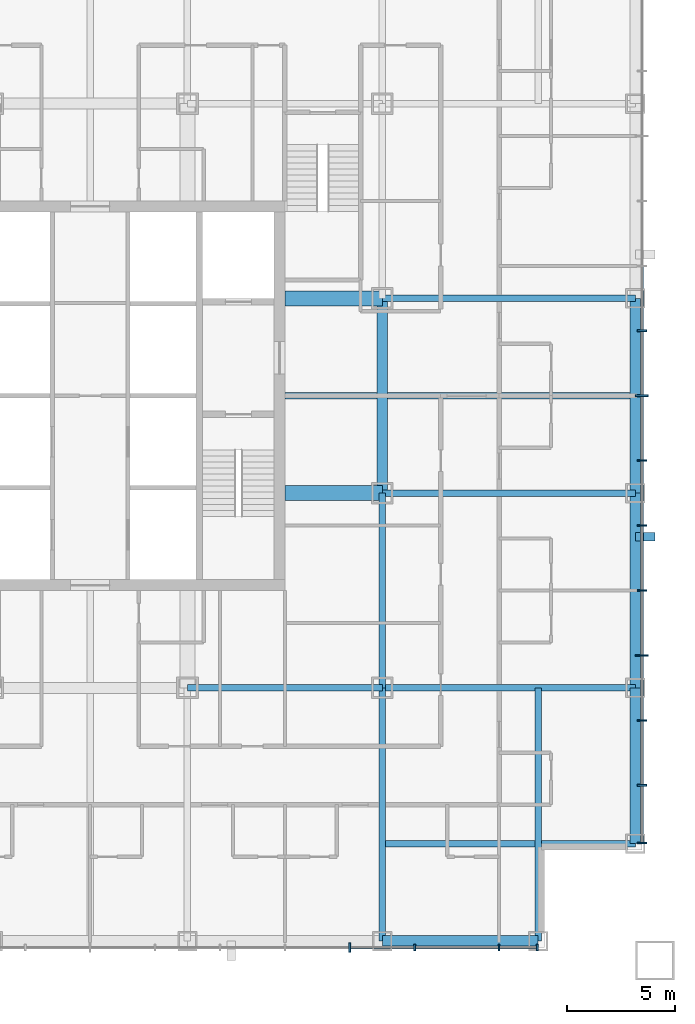
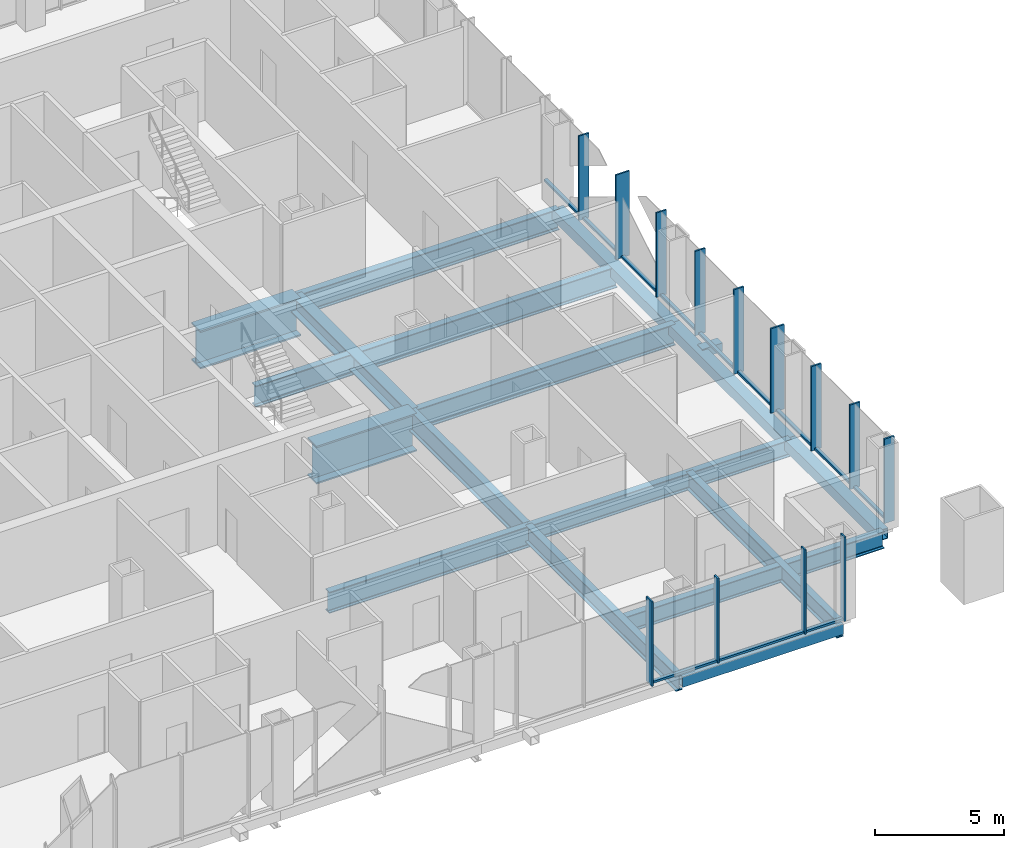
# One storey, part 3 of 13: 26 members, 16 beams, 2 elements without a shape of their own.
"""IFC4 building model written with IfcOpenShell, lengths in metres."""

from ifc_helpers import new_model, si_unit, direction, frame, origin, origin_2d, place, context, subcontext, project, spatial, rectangle, hollow_rectangle, i_section, extrude, material, layer, layer_set, material_profile, profile_set, type_object, element, aggregate, save


model = new_model("IFC4")

# Units and contexts
model_context = context("Model", 3, precision=1e-05, world=origin(), true_north=direction((0.0, 1.0)))
body_context = subcontext(model_context, "Body", "Model", "MODEL_VIEW")
ifc_project = project(units=[si_unit("LENGTHUNIT", "METRE"), si_unit("AREAUNIT", "SQUARE_METRE"), si_unit("VOLUMEUNIT", "CUBIC_METRE"), si_unit("PLANEANGLEUNIT", "RADIAN"), si_unit("MASSUNIT", "GRAM", prefix="KILO")], contexts=[model_context])

# Site, building, storey
site_placement = place(None, origin())
site = spatial("IfcSite", under=ifc_project, at=site_placement, CompositionType="ELEMENT")
building_placement = place(site_placement, origin())
building = spatial("IfcBuilding", under=site, at=building_placement, Name="Malebo Sky Hospital", CompositionType="ELEMENT")
storey_placement = place(building_placement, frame((0.0, 0.0, 75.0)))
storey = spatial("IfcBuildingStorey", under=building, at=storey_placement, Name="L17", CompositionType="ELEMENT", Elevation=75.0)

# Curtain wall, members
ifc_material_1 = material(Name="Anodised aluminium, natural silver", Category="aluminium")
ifc_layer_1 = layer(ifc_material_1, 0.25)
ifc_layer_set_1 = layer_set([ifc_layer_1], Name="WARD CURTAIN WALL NORTH AND SOUTH")
curtain_wall_type_1 = type_object("IfcCurtainWallType", Name="WARD CURTAIN WALL NORTH AND SOUTH", PredefinedType="NOTDEFINED", material=ifc_layer_set_1)
curtain_wall_1_placement = place(storey_placement, origin())
curtain_wall_1 = element("IfcCurtainWall", 1, at=curtain_wall_1_placement, inside=storey, type_object=curtain_wall_type_1, Name="NS curtain wall S", PredefinedType="NOTDEFINED")
ifc_material_profile_1 = material_profile(ifc_material_1, rectangle(XDim=0.14990234375, YDim=0.10009765625, at=origin_2d()), Name="ALUMINIUM TRANSOM 150x100")
ifc_profile_set_1 = profile_set([ifc_material_profile_1], Name="Anodised aluminium, natural silver")
member_type_1 = type_object("IfcMemberType", Name="ALUMINIUM TRANSOM 150x100", PredefinedType="USERDEFINED", material=ifc_profile_set_1)
member_1_placement = place(storey_placement, frame((80.625, 36.5, 0.050048828125), z_axis=(-1.0, 0.0, 0.0), x_axis=(0.0, -1.0, 0.0)))
member_1 = element("IfcMember", 2, at=member_1_placement, type_object=member_type_1, Name="Transom 1", ObjectType="TRANSOM", PredefinedType="USERDEFINED", context=body_context, shape_type="SweptSolid", body=[
    extrude(rectangle(XDim=0.14990234375, YDim=0.10009765625, at=origin_2d()), origin(), (0.0, 0.0, 1.0), 1.6875),
])
member_2_placement = place(storey_placement, frame((78.862548828125, 36.5, 0.050048828125), z_axis=(-1.0, 0.0, 0.0), x_axis=(0.0, -1.0, 0.0)))
member_2 = element("IfcMember", 3, at=member_2_placement, type_object=member_type_1, Name="Transom 2", ObjectType="TRANSOM", PredefinedType="USERDEFINED", context=body_context, shape_type="SweptSolid", body=[
    extrude(rectangle(XDim=0.14990234375, YDim=0.10009765625, at=origin_2d()), origin(), (0.0, 0.0, 1.0), 3.824951171875),
])
member_3_placement = place(storey_placement, frame((74.96240234375, 36.5, 0.050048828125), z_axis=(-1.0, 0.0, 0.0), x_axis=(0.0, -1.0, 0.0)))
member_3 = element("IfcMember", 4, at=member_3_placement, type_object=member_type_1, Name="Transom 3", ObjectType="TRANSOM", PredefinedType="USERDEFINED", context=body_context, shape_type="SweptSolid", body=[
    extrude(rectangle(XDim=0.14990234375, YDim=0.10009765625, at=origin_2d()), origin(), (0.0, 0.0, 1.0), 2.9248046875),
])

ifc_layer_2 = layer(ifc_material_1, 0.25)
ifc_layer_set_2 = layer_set([ifc_layer_2], Name="WARD CURTAIN WALL EAST AND WEST")
curtain_wall_type_2 = type_object("IfcCurtainWallType", Name="WARD CURTAIN WALL EAST AND WEST", PredefinedType="NOTDEFINED", material=ifc_layer_set_2)
curtain_wall_2_placement = place(storey_placement, origin())
curtain_wall_2 = element("IfcCurtainWall", 5, at=curtain_wall_2_placement, inside=storey, type_object=curtain_wall_type_2, Name="EW curtain wall E", PredefinedType="NOTDEFINED")
member_4_placement = place(storey_placement, frame((85.5, 67.96240234375, 0.050048828125), z_axis=(0.0, -1.0, 0.0), x_axis=(1.0, 0.0, 0.0)))
member_4 = element("IfcMember", 6, at=member_4_placement, type_object=member_type_1, Name="Transom 6", ObjectType="TRANSOM", PredefinedType="USERDEFINED", context=body_context, shape_type="SweptSolid", body=[
    extrude(rectangle(XDim=0.14990234375, YDim=0.10009765625, at=origin_2d()), origin(), (0.0, 0.0, 1.0), 2.9248046875),
])
member_5_placement = place(storey_placement, frame((85.5, 64.96240234375, 0.050048828125), z_axis=(0.0, -1.0, 0.0), x_axis=(1.0, 0.0, 0.0)))
member_5 = element("IfcMember", 7, at=member_5_placement, type_object=member_type_1, Name="Transom 7", ObjectType="TRANSOM", PredefinedType="USERDEFINED", context=body_context, shape_type="SweptSolid", body=[
    extrude(rectangle(XDim=0.14990234375, YDim=0.10009765625, at=origin_2d()), origin(), (0.0, 0.0, 1.0), 2.9248046875),
])
member_6_placement = place(storey_placement, frame((85.5, 61.96240234375, 0.050048828125), z_axis=(0.0, -1.0, 0.0), x_axis=(1.0, 0.0, 0.0)))
member_6 = element("IfcMember", 8, at=member_6_placement, type_object=member_type_1, Name="Transom 8", ObjectType="TRANSOM", PredefinedType="USERDEFINED", context=body_context, shape_type="SweptSolid", body=[
    extrude(rectangle(XDim=0.14990234375, YDim=0.10009765625, at=origin_2d()), origin(), (0.0, 0.0, 1.0), 2.9248046875),
])
member_7_placement = place(storey_placement, frame((85.5, 58.96240234375, 0.050048828125), z_axis=(0.0, -1.0, 0.0), x_axis=(1.0, 0.0, 0.0)))
member_7 = element("IfcMember", 9, at=member_7_placement, type_object=member_type_1, Name="Transom 9", ObjectType="TRANSOM", PredefinedType="USERDEFINED", context=body_context, shape_type="SweptSolid", body=[
    extrude(rectangle(XDim=0.14990234375, YDim=0.10009765625, at=origin_2d()), origin(), (0.0, 0.0, 1.0), 2.9248046875),
])
member_8_placement = place(storey_placement, frame((85.5, 55.96240234375, 0.050048828125), z_axis=(0.0, -1.0, 0.0), x_axis=(1.0, 0.0, 0.0)))
member_8 = element("IfcMember", 10, at=member_8_placement, type_object=member_type_1, Name="Transom 10", ObjectType="TRANSOM", PredefinedType="USERDEFINED", context=body_context, shape_type="SweptSolid", body=[
    extrude(rectangle(XDim=0.14990234375, YDim=0.10009765625, at=origin_2d()), origin(), (0.0, 0.0, 1.0), 2.9248046875),
])
member_9_placement = place(storey_placement, frame((85.5, 52.96240234375, 0.050048828125), z_axis=(0.0, -1.0, 0.0), x_axis=(1.0, 0.0, 0.0)))
member_9 = element("IfcMember", 11, at=member_9_placement, type_object=member_type_1, Name="Transom 11", ObjectType="TRANSOM", PredefinedType="USERDEFINED", context=body_context, shape_type="SweptSolid", body=[
    extrude(rectangle(XDim=0.14990234375, YDim=0.10009765625, at=origin_2d()), origin(), (0.0, 0.0, 1.0), 2.9248046875),
])
member_10_placement = place(storey_placement, frame((85.5, 49.96240234375, 0.050048828125), z_axis=(0.0, -1.0, 0.0), x_axis=(1.0, 0.0, 0.0)))
member_10 = element("IfcMember", 12, at=member_10_placement, type_object=member_type_1, Name="Transom 12", ObjectType="TRANSOM", PredefinedType="USERDEFINED", context=body_context, shape_type="SweptSolid", body=[
    extrude(rectangle(XDim=0.14990234375, YDim=0.10009765625, at=origin_2d()), origin(), (0.0, 0.0, 1.0), 2.9248046875),
])
member_11_placement = place(storey_placement, frame((85.5, 46.96240234375, 0.050048828125), z_axis=(0.0, -1.0, 0.0), x_axis=(1.0, 0.0, 0.0)))
member_11 = element("IfcMember", 13, at=member_11_placement, type_object=member_type_1, Name="Transom 13", ObjectType="TRANSOM", PredefinedType="USERDEFINED", context=body_context, shape_type="SweptSolid", body=[
    extrude(rectangle(XDim=0.14990234375, YDim=0.10009765625, at=origin_2d()), origin(), (0.0, 0.0, 1.0), 2.9248046875),
])
member_12_placement = place(storey_placement, frame((85.5, 43.96240234375, 0.050048828125), z_axis=(0.0, -1.0, 0.0), x_axis=(1.0, 0.0, 0.0)))
member_12 = element("IfcMember", 14, at=member_12_placement, type_object=member_type_1, Name="Transom 14", ObjectType="TRANSOM", PredefinedType="USERDEFINED", context=body_context, shape_type="SweptSolid", body=[
    extrude(rectangle(XDim=0.14990234375, YDim=0.10009765625, at=origin_2d()), origin(), (0.0, 0.0, 1.0), 2.58740234375),
])

# Member
ifc_material_2 = material(Name="Steel S355", Category="steel")
ifc_material_profile_2 = material_profile(ifc_material_2, hollow_rectangle(XDim=0.39990234375, YDim=0.39990234375, WallThickness=0.02001953125, at=origin_2d()), Name="SHS 400x20")
ifc_profile_set_2 = profile_set([ifc_material_profile_2], Name="Steel S355")
member_type_2 = type_object("IfcMemberType", Name="BRACE STRUT SHS 400x20", PredefinedType="STRUT", material=ifc_profile_set_2)
member_13_placement = place(storey_placement, frame((86.10009765625, 55.47509765625, -0.39990234375), z_axis=(-1.0, 0.0, 0.0), x_axis=(0.0, -1.0, 0.0)))
element("IfcMember", 15, at=member_13_placement, inside=storey, type_object=member_type_2, Name="Brace strut AE1 L17", PredefinedType="STRUT", context=body_context, shape_type="SweptSolid", body=[
    extrude(hollow_rectangle(XDim=0.39990234375, YDim=0.39990234375, WallThickness=0.02001953125, at=origin_2d()), origin(), (0.0, 0.0, 1.0), 0.900146484375),
])

ifc_material_profile_3 = material_profile(ifc_material_1, rectangle(XDim=0.074951171875, YDim=0.300048828125, at=origin_2d()), Name="CW1 ALUMINIUM FIN MULLION 75x300")
ifc_profile_set_3 = profile_set([ifc_material_profile_3], Name="Anodised aluminium, natural silver")
member_type_3 = type_object("IfcMemberType", Name="CW1 ALUMINIUM FIN MULLION 75x300", PredefinedType="MULLION", material=ifc_profile_set_3)
member_14_placement = place(storey_placement, frame((80.66259765625, 36.5, 0.0), z_axis=(0.0, 0.0, 1.0), x_axis=(-1.0, 0.0, 0.0)))
member_14 = element("IfcMember", 16, at=member_14_placement, type_object=member_type_3, Name="Fin mullion 1", PredefinedType="MULLION", context=body_context, shape_type="SweptSolid", body=[
    extrude(rectangle(XDim=0.074951171875, YDim=0.300048828125, at=origin_2d()), origin(), (0.0, 0.0, 1.0), 4.0),
])

member_15_placement = place(storey_placement, frame((78.89990234375, 36.5, 0.0), z_axis=(0.0, 0.0, 1.0), x_axis=(-1.0, 0.0, 0.0)))
member_15 = element("IfcMember", 17, at=member_15_placement, type_object=member_type_3, Name="Fin mullion 2", PredefinedType="MULLION", context=body_context, shape_type="SweptSolid", body=[
    extrude(rectangle(XDim=0.074951171875, YDim=0.300048828125, at=origin_2d()), origin(), (0.0, 0.0, 1.0), 4.0),
])

member_16_placement = place(storey_placement, frame((75.0, 36.5, 0.0), z_axis=(0.0, 0.0, 1.0), x_axis=(-1.0, 0.0, 0.0)))
member_16 = element("IfcMember", 18, at=member_16_placement, type_object=member_type_3, Name="Fin mullion 3", PredefinedType="MULLION", context=body_context, shape_type="SweptSolid", body=[
    extrude(rectangle(XDim=0.074951171875, YDim=0.300048828125, at=origin_2d()), origin(), (0.0, 0.0, 1.0), 4.0),
])

ifc_material_profile_4 = material_profile(ifc_material_1, rectangle(XDim=0.074951171875, YDim=0.449951171875, at=origin_2d()), Name="CW1 ALUMINIUM FIN MULLION 75x450")
ifc_profile_set_4 = profile_set([ifc_material_profile_4], Name="Anodised aluminium, natural silver")
member_type_4 = type_object("IfcMemberType", Name="CW1 ALUMINIUM FIN MULLION 75x450", PredefinedType="MULLION", material=ifc_profile_set_4)
member_17_placement = place(storey_placement, frame((72.0, 36.5, 0.0), z_axis=(0.0, 0.0, 1.0), x_axis=(-1.0, 0.0, 0.0)))
member_17 = element("IfcMember", 19, at=member_17_placement, type_object=member_type_4, Name="Fin mullion 4", PredefinedType="MULLION", context=body_context, shape_type="SweptSolid", body=[
    extrude(rectangle(XDim=0.074951171875, YDim=0.449951171875, at=origin_2d()), origin(), (0.0, 0.0, 1.0), 4.0),
])

aggregate(curtain_wall_1, [member_14, member_15, member_16, member_17, member_1, member_2, member_3])

ifc_material_profile_5 = material_profile(ifc_material_1, rectangle(XDim=0.074951171875, YDim=0.449951171875, at=origin_2d()), Name="CW2 ALUMINIUM FIN MULLION 75x450")
ifc_profile_set_5 = profile_set([ifc_material_profile_5], Name="Anodised aluminium, natural silver")
member_type_5 = type_object("IfcMemberType", Name="CW2 ALUMINIUM FIN MULLION 75x450", PredefinedType="MULLION", material=ifc_profile_set_5)
member_18_placement = place(storey_placement, frame((85.5, 65.0, 0.0), z_axis=(0.0, 0.0, 1.0), x_axis=(0.0, -1.0, 0.0)))
member_18 = element("IfcMember", 20, at=member_18_placement, type_object=member_type_5, Name="Fin mullion 7", PredefinedType="MULLION", context=body_context, shape_type="SweptSolid", body=[
    extrude(rectangle(XDim=0.074951171875, YDim=0.449951171875, at=origin_2d()), origin(), (0.0, 0.0, 1.0), 4.0),
])

member_19_placement = place(storey_placement, frame((85.5, 59.0, 0.0), z_axis=(0.0, 0.0, 1.0), x_axis=(0.0, -1.0, 0.0)))
member_19 = element("IfcMember", 21, at=member_19_placement, type_object=member_type_5, Name="Fin mullion 9", PredefinedType="MULLION", context=body_context, shape_type="SweptSolid", body=[
    extrude(rectangle(XDim=0.074951171875, YDim=0.449951171875, at=origin_2d()), origin(), (0.0, 0.0, 1.0), 4.0),
])

member_20_placement = place(storey_placement, frame((85.5, 56.0, 0.0), z_axis=(0.0, 0.0, 1.0), x_axis=(0.0, -1.0, 0.0)))
member_20 = element("IfcMember", 22, at=member_20_placement, type_object=member_type_5, Name="Fin mullion 10", PredefinedType="MULLION", context=body_context, shape_type="SweptSolid", body=[
    extrude(rectangle(XDim=0.074951171875, YDim=0.449951171875, at=origin_2d()), origin(), (0.0, 0.0, 1.0), 4.0),
])

member_21_placement = place(storey_placement, frame((85.5, 53.0, 0.0), z_axis=(0.0, 0.0, 1.0), x_axis=(0.0, -1.0, 0.0)))
member_21 = element("IfcMember", 23, at=member_21_placement, type_object=member_type_5, Name="Fin mullion 11", PredefinedType="MULLION", context=body_context, shape_type="SweptSolid", body=[
    extrude(rectangle(XDim=0.074951171875, YDim=0.449951171875, at=origin_2d()), origin(), (0.0, 0.0, 1.0), 4.0),
])

member_22_placement = place(storey_placement, frame((85.5, 47.0, 0.0), z_axis=(0.0, 0.0, 1.0), x_axis=(0.0, -1.0, 0.0)))
member_22 = element("IfcMember", 24, at=member_22_placement, type_object=member_type_5, Name="Fin mullion 13", PredefinedType="MULLION", context=body_context, shape_type="SweptSolid", body=[
    extrude(rectangle(XDim=0.074951171875, YDim=0.449951171875, at=origin_2d()), origin(), (0.0, 0.0, 1.0), 4.0),
])

member_23_placement = place(storey_placement, frame((85.5, 44.0, 0.0), z_axis=(0.0, 0.0, 1.0), x_axis=(0.0, -1.0, 0.0)))
member_23 = element("IfcMember", 25, at=member_23_placement, type_object=member_type_5, Name="Fin mullion 14", PredefinedType="MULLION", context=body_context, shape_type="SweptSolid", body=[
    extrude(rectangle(XDim=0.074951171875, YDim=0.449951171875, at=origin_2d()), origin(), (0.0, 0.0, 1.0), 4.0),
])

member_24_placement = place(storey_placement, frame((85.5, 41.33740234375, 0.0), z_axis=(0.0, 0.0, 1.0), x_axis=(0.0, -1.0, 0.0)))
member_24 = element("IfcMember", 26, at=member_24_placement, type_object=member_type_5, Name="Fin mullion 15", PredefinedType="MULLION", context=body_context, shape_type="SweptSolid", body=[
    extrude(rectangle(XDim=0.074951171875, YDim=0.449951171875, at=origin_2d()), origin(), (0.0, 0.0, 1.0), 4.0),
])

ifc_material_profile_6 = material_profile(ifc_material_1, rectangle(XDim=0.074951171875, YDim=0.60009765625, at=origin_2d()), Name="CW2 ALUMINIUM FIN MULLION 75x600")
ifc_profile_set_6 = profile_set([ifc_material_profile_6], Name="Anodised aluminium, natural silver")
member_type_6 = type_object("IfcMemberType", Name="CW2 ALUMINIUM FIN MULLION 75x600", PredefinedType="MULLION", material=ifc_profile_set_6)
member_25_placement = place(storey_placement, frame((85.5, 62.0, 0.0), z_axis=(0.0, 0.0, 1.0), x_axis=(0.0, -1.0, 0.0)))
member_25 = element("IfcMember", 27, at=member_25_placement, type_object=member_type_6, Name="Fin mullion 8", PredefinedType="MULLION", context=body_context, shape_type="SweptSolid", body=[
    extrude(rectangle(XDim=0.074951171875, YDim=0.60009765625, at=origin_2d()), origin(), (0.0, 0.0, 1.0), 4.0),
])

member_26_placement = place(storey_placement, frame((85.5, 50.0, 0.0), z_axis=(0.0, 0.0, 1.0), x_axis=(0.0, -1.0, 0.0)))
member_26 = element("IfcMember", 28, at=member_26_placement, type_object=member_type_6, Name="Fin mullion 12", PredefinedType="MULLION", context=body_context, shape_type="SweptSolid", body=[
    extrude(rectangle(XDim=0.074951171875, YDim=0.60009765625, at=origin_2d()), origin(), (0.0, 0.0, 1.0), 4.0),
])

aggregate(curtain_wall_2, [member_18, member_25, member_19, member_20, member_21, member_26, member_22, member_23, member_24, member_4, member_5, member_6, member_7, member_8, member_9, member_10, member_11, member_12])

# Beams
ifc_material_3 = material(Name="Steel S460", Category="steel")
ifc_material_profile_7 = material_profile(ifc_material_3, hollow_rectangle(XDim=0.5, YDim=0.5, WallThickness=0.030029296875, at=origin_2d()), Name="BOX 500x500x30")
ifc_profile_set_7 = profile_set([ifc_material_profile_7], Name="Steel S460")
beam_type_1 = type_object("IfcBeamType", Name="EDGE BEAM BOX 500x500x30", PredefinedType="BEAM", material=ifc_profile_set_7)
beam_1_placement = place(storey_placement, frame((85.199951171875, 41.300048828125, -0.5), z_axis=(0.0, 1.0, 0.0), x_axis=(-1.0, 0.0, 0.0)))
element("IfcBeam", 29, at=beam_1_placement, inside=storey, type_object=beam_type_1, Name="Beam 029 L17", PredefinedType="BEAM", context=body_context, shape_type="SweptSolid", body=[
    extrude(hollow_rectangle(XDim=0.5, YDim=0.5, WallThickness=0.030029296875, at=origin_2d()), origin(), (0.0, 0.0, 1.0), 7.199951171875),
])
for number, where, z_axis, x_axis, name in (
    (30, (85.199951171875, 48.5, -0.5), (0.0, 1.0, 0.0), (-1.0, 0.0, 0.0), "Beam 030 L17"),
    (31, (85.199951171875, 57.5, -0.5), (0.0, 1.0, 0.0), (-1.0, 0.0, 0.0), "Beam 031 L17"),
):
    element("IfcBeam", number, at=place(storey_placement, frame(where, z_axis=z_axis, x_axis=x_axis)), inside=storey, type_object=beam_type_1, Name=name, PredefinedType="BEAM", context=body_context, shape_type="SweptSolid", body=[
        extrude(hollow_rectangle(XDim=0.5, YDim=0.5, WallThickness=0.030029296875, at=origin_2d()), origin(), (0.0, 0.0, 1.0), 9.0),
    ])
beam_2_placement = place(storey_placement, frame((73.5, 36.800048828125, -0.5), z_axis=(1.0, 0.0, 0.0), x_axis=(0.0, 1.0, 0.0)))
element("IfcBeam", 32, at=beam_2_placement, inside=storey, type_object=beam_type_1, Name="Beam 038 L17", PredefinedType="BEAM", context=body_context, shape_type="SweptSolid", body=[
    extrude(hollow_rectangle(XDim=0.5, YDim=0.5, WallThickness=0.030029296875, at=origin_2d()), origin(), (0.0, 0.0, 1.0), 7.199951171875),
])
ifc_material_profile_8 = material_profile(ifc_material_2, i_section(OverallWidth=0.300048828125, OverallDepth=1.0, WebThickness=0.01904296875, FlangeThickness=0.035888671875, FilletRadius=0.030029296875, at=origin_2d()), Name="HEB 1000")
ifc_profile_set_8 = profile_set([ifc_material_profile_8], Name="Steel S355")
beam_type_2 = type_object("IfcBeamType", Name="FLOOR BEAM HEB 1000", PredefinedType="BEAM", material=ifc_profile_set_8)
for number, where, z_axis, x_axis, name in (
    (33, (73.5, 48.5, -0.75), (0.0, 1.0, 0.0), (-1.0, 0.0, 0.0), "Beam 023 L17"),
    (34, (64.5, 48.5, -0.75), (1.0, 0.0, 0.0), (0.0, 1.0, 0.0), "Beam 044 L17"),
):
    element("IfcBeam", number, at=place(storey_placement, frame(where, z_axis=z_axis, x_axis=x_axis)), inside=storey, type_object=beam_type_2, Name=name, PredefinedType="BEAM", context=body_context, shape_type="SweptSolid", body=[
        extrude(i_section(OverallWidth=0.300048828125, OverallDepth=1.0, WebThickness=0.01904296875, FlangeThickness=0.035888671875, FilletRadius=0.030029296875, at=origin_2d()), origin(), (0.0, 0.0, 1.0), 9.0),
    ])
beam_3_placement = place(storey_placement, frame((73.5, 57.5, -0.75), z_axis=(1.0, 0.0, 0.0), x_axis=(0.0, 1.0, 0.0)))
element("IfcBeam", 35, at=beam_3_placement, inside=storey, type_object=beam_type_2, Name="Beam 049 L17", PredefinedType="BEAM", context=body_context, shape_type="SweptSolid", body=[
    extrude(i_section(OverallWidth=0.300048828125, OverallDepth=1.0, WebThickness=0.01904296875, FlangeThickness=0.035888671875, FilletRadius=0.030029296875, at=origin_2d()), origin(), (0.0, 0.0, 1.0), 11.699951171875),
])
beam_4_placement = place(storey_placement, frame((69.0, 62.0, -0.75), z_axis=(1.0, 0.0, 0.0), x_axis=(0.0, 1.0, 0.0)))
element("IfcBeam", 36, at=beam_4_placement, inside=storey, type_object=beam_type_2, Name="Beam 051 L17", PredefinedType="BEAM", context=body_context, shape_type="SweptSolid", body=[
    extrude(i_section(OverallWidth=0.300048828125, OverallDepth=1.0, WebThickness=0.01904296875, FlangeThickness=0.035888671875, FilletRadius=0.030029296875, at=origin_2d()), origin(), (0.0, 0.0, 1.0), 16.199951171875),
])
beam_5_placement = place(storey_placement, frame((73.5, 66.5, -0.75), z_axis=(1.0, 0.0, 0.0), x_axis=(0.0, 1.0, 0.0)))
element("IfcBeam", 37, at=beam_5_placement, inside=storey, type_object=beam_type_2, Name="Beam 055 L17", PredefinedType="BEAM", context=body_context, shape_type="SweptSolid", body=[
    extrude(i_section(OverallWidth=0.300048828125, OverallDepth=1.0, WebThickness=0.01904296875, FlangeThickness=0.035888671875, FilletRadius=0.030029296875, at=origin_2d()), origin(), (0.0, 0.0, 1.0), 11.699951171875),
])
ifc_material_profile_9 = material_profile(ifc_material_2, i_section(OverallWidth=0.300048828125, OverallDepth=0.800048828125, WebThickness=0.017578125, FlangeThickness=0.032958984375, FilletRadius=0.030029296875, at=origin_2d()), Name="HEB 800")
ifc_profile_set_9 = profile_set([ifc_material_profile_9], Name="Steel S355")
beam_type_3 = type_object("IfcBeamType", Name="FLOOR BEAM HEB 800", PredefinedType="BEAM", material=ifc_profile_set_9)
for number, where, z_axis, x_axis, name in (
    (38, (80.699951171875, 36.800048828125, -0.64990234375), (0.0, 1.0, 0.0), (-1.0, 0.0, 0.0), "Beam 027 L17"),
    (39, (73.5, 41.300048828125, -0.64990234375), (1.0, 0.0, 0.0), (0.0, 1.0, 0.0), "Beam 040 L17"),
):
    element("IfcBeam", number, at=place(storey_placement, frame(where, z_axis=z_axis, x_axis=x_axis)), inside=storey, type_object=beam_type_3, Name=name, PredefinedType="BEAM", context=body_context, shape_type="SweptSolid", body=[
        extrude(i_section(OverallWidth=0.300048828125, OverallDepth=0.800048828125, WebThickness=0.017578125, FlangeThickness=0.032958984375, FilletRadius=0.030029296875, at=origin_2d()), origin(), (0.0, 0.0, 1.0), 11.699951171875),
    ])
ifc_material_profile_10 = material_profile(ifc_material_2, i_section(OverallWidth=0.699951171875, OverallDepth=1.800048828125, WebThickness=0.034912109375, FlangeThickness=0.070068359375, at=origin_2d()), Name="PG 1800x700x35x70")
ifc_profile_set_10 = profile_set([ifc_material_profile_10], Name="Steel S355")
beam_type_4 = type_object("IfcBeamType", Name="FLOOR BEAM PG 1800x700x35x70", PredefinedType="BEAM", material=ifc_profile_set_10)
for number, where, z_axis, x_axis, name in (
    (40, (69.0, 57.5, -1.14990234375), (1.0, 0.0, 0.0), (0.0, 1.0, 0.0), "Beam 048 L17"),
    (41, (69.0, 66.5, -1.14990234375), (1.0, 0.0, 0.0), (0.0, 1.0, 0.0), "Beam 054 L17"),
):
    element("IfcBeam", number, at=place(storey_placement, frame(where, z_axis=z_axis, x_axis=x_axis)), inside=storey, type_object=beam_type_4, Name=name, PredefinedType="BEAM", context=body_context, shape_type="SweptSolid", body=[
        extrude(i_section(OverallWidth=0.699951171875, OverallDepth=1.800048828125, WebThickness=0.034912109375, FlangeThickness=0.070068359375, at=origin_2d()), origin(), (0.0, 0.0, 1.0), 4.5),
    ])
ifc_material_profile_11 = material_profile(ifc_material_2, i_section(OverallWidth=0.300048828125, OverallDepth=0.800048828125, WebThickness=0.017578125, FlangeThickness=0.032958984375, FilletRadius=0.030029296875, at=origin_2d()), Name="HEB 800")
ifc_profile_set_11 = profile_set([ifc_material_profile_11], Name="Steel S355")
beam_type_5 = type_object("IfcBeamType", Name="FLOOR GIRDER HEB 800", PredefinedType="BEAM", material=ifc_profile_set_11)
for number, where, z_axis, x_axis, name in (
    (42, (73.5, 36.800048828125, -0.64990234375), (0.0, 1.0, 0.0), (-1.0, 0.0, 0.0), "Beam 022 L17"),
    (43, (73.5, 48.5, -0.64990234375), (1.0, 0.0, 0.0), (0.0, 1.0, 0.0), "Beam 045 L17"),
):
    element("IfcBeam", number, at=place(storey_placement, frame(where, z_axis=z_axis, x_axis=x_axis)), inside=storey, type_object=beam_type_5, Name=name, PredefinedType="BEAM", context=body_context, shape_type="SweptSolid", body=[
        extrude(i_section(OverallWidth=0.300048828125, OverallDepth=0.800048828125, WebThickness=0.017578125, FlangeThickness=0.032958984375, FilletRadius=0.030029296875, at=origin_2d()), origin(), (0.0, 0.0, 1.0), 11.699951171875),
    ])
ifc_material_profile_12 = material_profile(ifc_material_2, i_section(OverallWidth=0.5, OverallDepth=0.800048828125, WebThickness=0.030029296875, FlangeThickness=0.050048828125, at=origin_2d()), Name="PG 800x500x30x50")
ifc_profile_set_12 = profile_set([ifc_material_profile_12], Name="Steel S355")
beam_type_6 = type_object("IfcBeamType", Name="RING GIRDER PG 800x500x30x50", PredefinedType="BEAM", material=ifc_profile_set_12)
beam_6_placement = place(storey_placement, frame((73.5, 57.5, -0.64990234375), z_axis=(0.0, 1.0, 0.0), x_axis=(-1.0, 0.0, 0.0)))
element("IfcBeam", 44, at=beam_6_placement, inside=storey, type_object=beam_type_6, Name="Beam 024 L17", PredefinedType="BEAM", context=body_context, shape_type="SweptSolid", body=[
    extrude(i_section(OverallWidth=0.5, OverallDepth=0.800048828125, WebThickness=0.030029296875, FlangeThickness=0.050048828125, at=origin_2d()), origin(), (0.0, 0.0, 1.0), 9.0),
])

save(model, "model.ifc")
